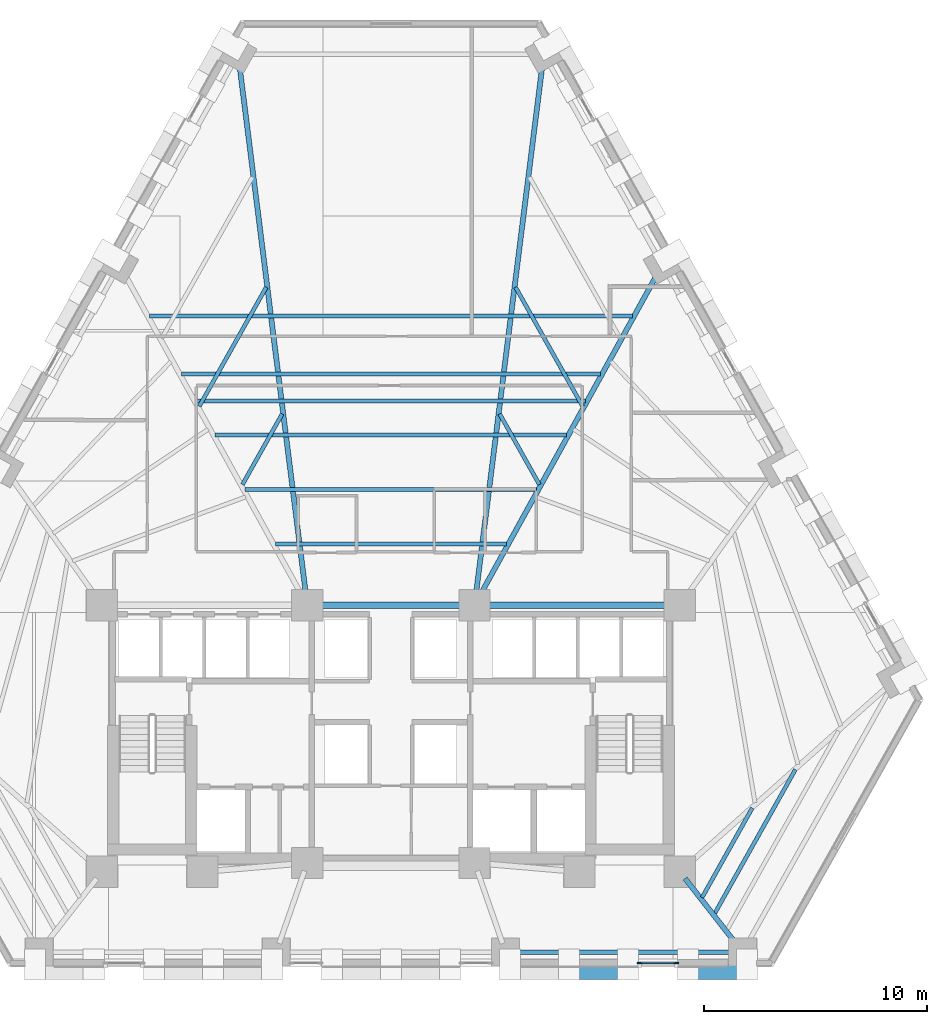
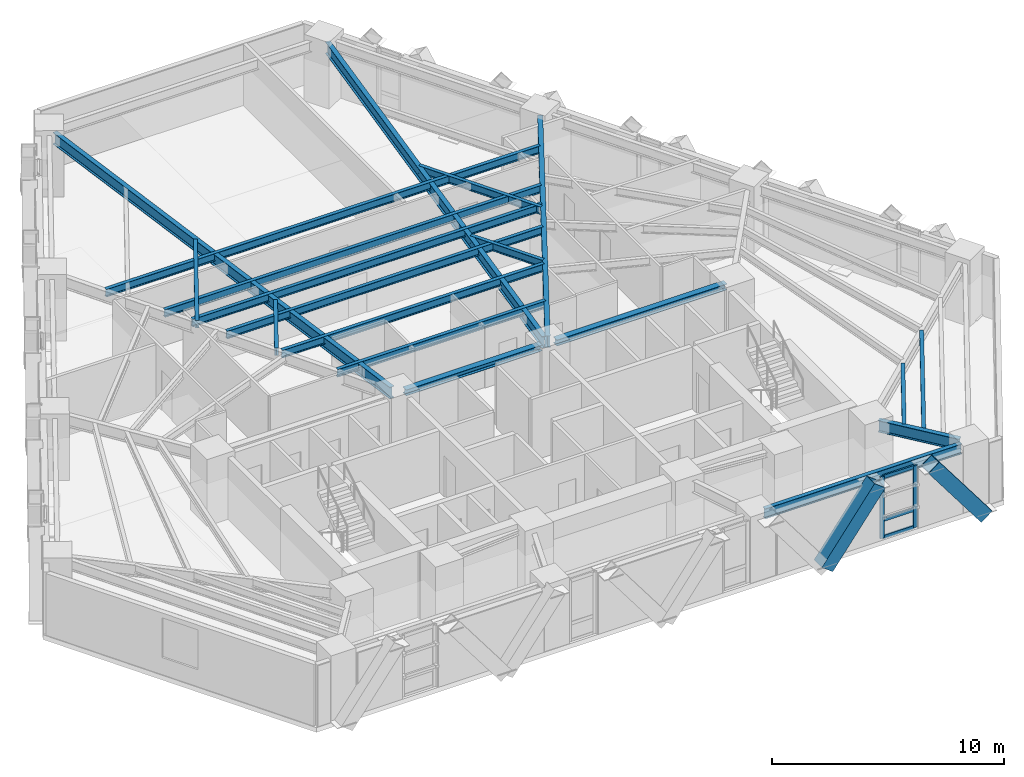
# One storey, part 3 of 13: 19 beams, 7 members, 1 element without a shape of its own.
"""IFC4 building model written with IfcOpenShell, lengths in metres."""

from ifc_helpers import new_model, si_unit, direction, frame, origin, origin_2d, place, context, subcontext, project, spatial, rectangle, hollow_rectangle, i_section, extrude, material, material_profile, profile_set, type_object, element, aggregate, save


model = new_model("IFC4")

# Units and contexts
model_context = context("Model", 3, precision=1e-05, world=origin(), true_north=direction((0.0, 1.0)))
body_context = subcontext(model_context, "Body", "Model", "MODEL_VIEW")
ifc_project = project(units=[si_unit("LENGTHUNIT", "METRE"), si_unit("AREAUNIT", "SQUARE_METRE"), si_unit("VOLUMEUNIT", "CUBIC_METRE"), si_unit("PLANEANGLEUNIT", "RADIAN"), si_unit("MASSUNIT", "GRAM", prefix="KILO")], contexts=[model_context])

# Site, building, storey
site_placement = place(None, origin())
site = spatial("IfcSite", under=ifc_project, at=site_placement, CompositionType="ELEMENT")
building_placement = place(site_placement, origin())
building = spatial("IfcBuilding", under=site, at=building_placement, Name="Quenlor Broadcast Tower", CompositionType="ELEMENT")
storey_placement = place(building_placement, frame((0.0, 0.0, 48.60009765625)))
storey = spatial("IfcBuildingStorey", under=building, at=storey_placement, Name="L12", CompositionType="ELEMENT", Elevation=48.60009765625)

# Curtain wall, members
ifc_material_1 = material(Name="Architectural Terracotta and Low-E Glazing", Category="masonry")
curtain_wall_type = type_object("IfcCurtainWallType", Name="Unitised Terracotta Curtain Wall System Z1", PredefinedType="NOTDEFINED", material=ifc_material_1)
curtain_wall_placement = place(storey_placement, origin())
curtain_wall = element("IfcCurtainWall", 1, at=curtain_wall_placement, inside=storey, type_object=curtain_wall_type, Name="L12 Curtain Wall CW1 (L12-SA-G1)", PredefinedType="NOTDEFINED")
ifc_material_2 = material(Name="Aluminium 6063-T6", Category="aluminium")
ifc_material_profile_1 = material_profile(ifc_material_2, rectangle(XDim=0.080078125, YDim=0.219970703125, at=origin_2d()))
ifc_profile_set_1 = profile_set([ifc_material_profile_1], Name="Aluminium 6063-T6 MULL80x220")
member_type_1 = type_object("IfcMemberType", Name="CW1 Aluminium Mullion MULL_CW1", PredefinedType="MULLION", material=ifc_profile_set_1)
member_1_placement = place(storey_placement, frame((12.794921875, -20.840087890625, 0.0), z_axis=(0.0, 0.0, 1.0), x_axis=(0.0, -1.0, 0.0)))
member_1 = element("IfcMember", 2, at=member_1_placement, type_object=member_type_1, Name="CW1 mullion 1", PredefinedType="MULLION", context=body_context, shape_type="SweptSolid", body=[
    extrude(rectangle(XDim=0.080078125, YDim=0.219970703125, at=origin_2d()), origin(), (0.0, 0.0, 1.0), 3.25),
])
member_2_placement = place(storey_placement, frame((11.146484375, -20.840087890625, 0.0), z_axis=(0.0, 0.0, 1.0), x_axis=(0.0, -1.0, 0.0)))
member_2 = element("IfcMember", 3, at=member_2_placement, type_object=member_type_1, Name="CW1 mullion 2", PredefinedType="MULLION", context=body_context, shape_type="SweptSolid", body=[
    extrude(rectangle(XDim=0.080078125, YDim=0.219970703125, at=origin_2d()), origin(), (0.0, 0.0, 1.0), 3.25),
])
ifc_material_3 = material(Name="Aluminium 6063-T6", Category="aluminium")
ifc_material_profile_2 = material_profile(ifc_material_3, rectangle(XDim=0.080078125, YDim=0.179931640625, at=origin_2d()))
ifc_profile_set_2 = profile_set([ifc_material_profile_2], Name="Aluminium 6063-T6 TRAN80x180")
member_type_2 = type_object("IfcMemberType", Name="CW1 Aluminium Transom TRAN_CW1", PredefinedType="USERDEFINED", material=ifc_profile_set_2)
member_3_placement = place(storey_placement, frame((12.7548828125, -20.840087890625, 0.039794921875), z_axis=(-1.0, 0.0, 0.0), x_axis=(0.0, -1.0, 0.0)))
member_3 = element("IfcMember", 4, at=member_3_placement, type_object=member_type_2, Name="CW1 transom 1.1", ObjectType="TRANSOM", PredefinedType="USERDEFINED", context=body_context, shape_type="SweptSolid", body=[
    extrude(rectangle(XDim=0.080078125, YDim=0.179931640625, at=origin_2d()), origin(), (0.0, 0.0, 1.0), 1.568359375),
])
member_4_placement = place(storey_placement, frame((12.7548828125, -20.840087890625, 0.949951171875), z_axis=(-1.0, 0.0, 0.0), x_axis=(0.0, -1.0, 0.0)))
member_4 = element("IfcMember", 5, at=member_4_placement, type_object=member_type_2, Name="CW1 transom 1.2", ObjectType="TRANSOM", PredefinedType="USERDEFINED", context=body_context, shape_type="SweptSolid", body=[
    extrude(rectangle(XDim=0.080078125, YDim=0.179931640625, at=origin_2d()), origin(), (0.0, 0.0, 1.0), 1.568359375),
])
member_5_placement = place(storey_placement, frame((12.7548828125, -20.840087890625, 3.2099609375), z_axis=(-1.0, 0.0, 0.0), x_axis=(0.0, -1.0, 0.0)))
member_5 = element("IfcMember", 6, at=member_5_placement, type_object=member_type_2, Name="CW1 transom 1.3", ObjectType="TRANSOM", PredefinedType="USERDEFINED", context=body_context, shape_type="SweptSolid", body=[
    extrude(rectangle(XDim=0.080078125, YDim=0.179931640625, at=origin_2d()), origin(), (0.0, 0.0, 1.0), 1.568359375),
])
aggregate(curtain_wall, [member_1, member_2, member_3, member_4, member_5])

# Beams
ifc_material_4 = material(Name="Steel S355", Category="steel")
ifc_material_profile_3 = material_profile(ifc_material_4, i_section(OverallWidth=0.304931640625, OverallDepth=0.30810546875, WebThickness=0.010009765625, FlangeThickness=0.015380859375, FilletRadius=0.0166015625, at=origin_2d()))
ifc_profile_set_3 = profile_set([ifc_material_profile_3], Name="Steel S355 310UC96.8")
beam_type_1 = type_object("IfcBeamType", Name="Core Header Beam Steel S355 310UC96.8", PredefinedType="BEAM", material=ifc_profile_set_3)
beam_1_placement = place(storey_placement, frame((-3.389892578125, -4.800048828125, 3.095947265625), z_axis=(1.0, 0.0, 0.0), x_axis=(0.0, 1.0, 0.0)))
element("IfcBeam", 7, at=beam_1_placement, inside=storey, type_object=beam_type_1, Name="L12 Core Header Beam 2", PredefinedType="BEAM", context=body_context, shape_type="SweptSolid", body=[
    extrude(i_section(OverallWidth=0.304931640625, OverallDepth=0.30810546875, WebThickness=0.010009765625, FlangeThickness=0.015380859375, FilletRadius=0.0166015625, at=origin_2d()), origin(), (0.0, 0.0, 1.0), 6.77978515625),
])
ifc_material_5 = material(Name="Steel S355", Category="steel")
ifc_material_profile_4 = material_profile(ifc_material_5, i_section(OverallWidth=0.306884765625, OverallDepth=0.314697265625, WebThickness=0.011962890625, FlangeThickness=0.018798828125, FilletRadius=0.0166015625, at=origin_2d()))
ifc_profile_set_4 = profile_set([ifc_material_profile_4], Name="Steel S355 310UC118")
beam_type_2 = type_object("IfcBeamType", Name="Core Tie Beam Steel S355 310UC118", PredefinedType="BEAM", material=ifc_profile_set_4)
beam_2_placement = place(storey_placement, frame((4.110107421875, -4.800048828125, 3.092529296875), z_axis=(1.0, 0.0, 0.0), x_axis=(0.0, 1.0, 0.0)))
element("IfcBeam", 8, at=beam_2_placement, inside=storey, type_object=beam_type_2, Name="L12 Core Tie Beam 3", PredefinedType="BEAM", context=body_context, shape_type="SweptSolid", body=[
    extrude(i_section(OverallWidth=0.306884765625, OverallDepth=0.314697265625, WebThickness=0.011962890625, FlangeThickness=0.018798828125, FilletRadius=0.0166015625, at=origin_2d()), origin(), (0.0, 0.0, 1.0), 8.47998046875),
])

# Members
ifc_material_6 = material(Name="Steel S355", Category="steel")
ifc_material_profile_5 = material_profile(ifc_material_6, hollow_rectangle(XDim=0.679931640625, YDim=0.679931640625, WallThickness=0.034912109375, at=origin_2d()))
ifc_profile_set_5 = profile_set([ifc_material_profile_5], Name="Steel S355 RHS680x680x35")
member_type_3 = type_object("IfcMemberType", Name="Perimeter Diagonal Lattice Brace Z1 Steel S355 RHS680x35", PredefinedType="BRACE", material=ifc_profile_set_5)
for number, where, z_axis, x_axis, name in (
    (9, (15.945068359375, -21.235107421875, -0.1201171875), (-0.600463982679, 0.0, 0.799651802665), (0.0, -1.0, 0.0), "L12 Perimeter Diamond Lattice S-C1S"),
    (10, (7.99658203125, -21.235107421875, -0.1201171875), (0.600463982679, 0.0, 0.799651802665), (0.0, 1.0, 0.0), "L12 Perimeter Diamond Lattice S-C1B"),
):
    element("IfcMember", number, at=place(storey_placement, frame(where, z_axis=z_axis, x_axis=x_axis)), inside=storey, type_object=member_type_3, Name=name, PredefinedType="BRACE", context=body_context, shape_type="SweptSolid", body=[
        extrude(hollow_rectangle(XDim=0.679931640625, YDim=0.679931640625, WallThickness=0.034912109375, at=origin_2d()), origin(), (0.0, 0.0, 1.0), 4.376953125),
    ])

# Beams
ifc_material_7 = material(Name="Steel S355", Category="steel")
ifc_material_profile_6 = material_profile(ifc_material_7, i_section(OverallWidth=0.208984375, OverallDepth=0.532958984375, WebThickness=0.01025390625, FlangeThickness=0.015625, FilletRadius=0.013916015625, at=origin_2d()))
ifc_profile_set_6 = profile_set([ifc_material_profile_6], Name="Steel S355 530UB92.4")
beam_type_3 = type_object("IfcBeamType", Name="Perimeter Spandrel Beam Z1 Steel S355 530UB92.4", PredefinedType="SPANDREL", material=ifc_profile_set_6)
beam_3_placement = place(storey_placement, frame((5.55078125, -20.35009765625, 2.9833984375), z_axis=(1.0, 0.0, 0.0), x_axis=(0.0, 1.0, 0.0)))
element("IfcBeam", 11, at=beam_3_placement, inside=storey, type_object=beam_type_3, Name="L12 Spandrel Beam S3-S4", PredefinedType="SPANDREL", context=body_context, shape_type="SweptSolid", body=[
    extrude(i_section(OverallWidth=0.208984375, OverallDepth=0.532958984375, WebThickness=0.01025390625, FlangeThickness=0.015625, FilletRadius=0.013916015625, at=origin_2d()), origin(), (0.0, 0.0, 1.0), 9.80419921875),
])
ifc_material_8 = material(Name="Steel S355", Category="steel")
ifc_material_profile_7 = material_profile(ifc_material_8, i_section(OverallWidth=0.177978515625, OverallDepth=0.406494140625, WebThickness=0.0078125, FlangeThickness=0.0126953125, FilletRadius=0.011474609375, at=origin_2d()))
ifc_profile_set_7 = profile_set([ifc_material_profile_7], Name="Steel S355 410UB59.7")
beam_type_4 = type_object("IfcBeamType", Name="Tower Composite Joist Z1 Steel S355 410UB59.7", PredefinedType="JOIST", material=ifc_profile_set_7)
beam_4_placement = place(storey_placement, frame((-5.184326171875, -2.0546875, 3.046630859375), z_axis=(1.0, 0.0, 0.0), x_axis=(0.0, 1.0, 0.0)))
element("IfcBeam", 12, at=beam_4_placement, inside=storey, type_object=beam_type_4, Name="L12 Secondary Composite Joist 1", PredefinedType="JOIST", context=body_context, shape_type="SweptSolid", body=[
    extrude(i_section(OverallWidth=0.177978515625, OverallDepth=0.406494140625, WebThickness=0.0078125, FlangeThickness=0.0126953125, FilletRadius=0.011474609375, at=origin_2d()), origin(), (0.0, 0.0, 1.0), 10.36865234375),
])
beam_5_placement = place(storey_placement, frame((-8.718017578125, 4.3505859375, 3.046630859375), z_axis=(1.0, 0.0, 0.0), x_axis=(0.0, 1.0, 0.0)))
element("IfcBeam", 13, at=beam_5_placement, inside=storey, type_object=beam_type_4, Name="L12 Secondary Composite Joist 2", PredefinedType="JOIST", context=body_context, shape_type="SweptSolid", body=[
    extrude(i_section(OverallWidth=0.177978515625, OverallDepth=0.406494140625, WebThickness=0.0078125, FlangeThickness=0.0126953125, FilletRadius=0.011474609375, at=origin_2d()), origin(), (0.0, 0.0, 1.0), 17.43603515625),
])
beam_6_placement = place(storey_placement, frame((-6.530517578125, 0.38525390625, 3.046630859375), z_axis=(1.0, 0.0, 0.0), x_axis=(0.0, 1.0, 0.0)))
element("IfcBeam", 14, at=beam_6_placement, inside=storey, type_object=beam_type_4, Name="L12 Secondary Composite Joist 3", PredefinedType="JOIST", context=body_context, shape_type="SweptSolid", body=[
    extrude(i_section(OverallWidth=0.177978515625, OverallDepth=0.406494140625, WebThickness=0.0078125, FlangeThickness=0.0126953125, FilletRadius=0.011474609375, at=origin_2d()), origin(), (0.0, 0.0, 1.0), 13.06103515625),
])
beam_7_placement = place(storey_placement, frame((-7.87646484375, 2.825439453125, 3.046630859375), z_axis=(1.0, 0.0, 0.0), x_axis=(0.0, 1.0, 0.0)))
element("IfcBeam", 15, at=beam_7_placement, inside=storey, type_object=beam_type_4, Name="L12 Secondary Composite Joist 4", PredefinedType="JOIST", context=body_context, shape_type="SweptSolid", body=[
    extrude(i_section(OverallWidth=0.177978515625, OverallDepth=0.406494140625, WebThickness=0.0078125, FlangeThickness=0.0126953125, FilletRadius=0.011474609375, at=origin_2d()), origin(), (0.0, 0.0, 1.0), 15.7529296875),
])
beam_8_placement = place(storey_placement, frame((-9.390869140625, 5.570556640625, 3.046630859375), z_axis=(1.0, 0.0, 0.0), x_axis=(0.0, 1.0, 0.0)))
element("IfcBeam", 16, at=beam_8_placement, inside=storey, type_object=beam_type_4, Name="L12 Secondary Composite Joist 5", PredefinedType="JOIST", context=body_context, shape_type="SweptSolid", body=[
    extrude(i_section(OverallWidth=0.177978515625, OverallDepth=0.406494140625, WebThickness=0.0078125, FlangeThickness=0.0126953125, FilletRadius=0.011474609375, at=origin_2d()), origin(), (0.0, 0.0, 1.0), 18.78173828125),
])
beam_9_placement = place(storey_placement, frame((-10.821044921875, 8.163330078125, 3.046630859375), z_axis=(1.0, 0.0, 0.0), x_axis=(0.0, 1.0, 0.0)))
element("IfcBeam", 17, at=beam_9_placement, inside=storey, type_object=beam_type_4, Name="L12 Secondary Composite Joist 6", PredefinedType="JOIST", context=body_context, shape_type="SweptSolid", body=[
    extrude(i_section(OverallWidth=0.177978515625, OverallDepth=0.406494140625, WebThickness=0.0078125, FlangeThickness=0.0126953125, FilletRadius=0.011474609375, at=origin_2d()), origin(), (0.0, 0.0, 1.0), 21.64208984375),
])
beam_10_placement = place(storey_placement, frame((13.9462890625, -17.904296875, 3.046630859375), z_axis=(0.489062021968, 0.872249011848, 0.0), x_axis=(-0.872249011848, 0.489062021968, 0.0)))
element("IfcBeam", 18, at=beam_10_placement, inside=storey, type_object=beam_type_4, Name="L12 Secondary Composite Joist 22", PredefinedType="JOIST", context=body_context, shape_type="SweptSolid", body=[
    extrude(i_section(OverallWidth=0.177978515625, OverallDepth=0.406494140625, WebThickness=0.0078125, FlangeThickness=0.0126953125, FilletRadius=0.011474609375, at=origin_2d()), origin(), (0.0, 0.0, 1.0), 4.6025390625),
])
beam_11_placement = place(storey_placement, frame((14.50927734375, -18.624267578125, 3.046630859375), z_axis=(0.489088249322, 0.872234305892, 0.0), x_axis=(-0.872234305892, 0.489088249322, 0.0)))
element("IfcBeam", 19, at=beam_11_placement, inside=storey, type_object=beam_type_4, Name="L12 Secondary Composite Joist 23", PredefinedType="JOIST", context=body_context, shape_type="SweptSolid", body=[
    extrude(i_section(OverallWidth=0.177978515625, OverallDepth=0.406494140625, WebThickness=0.0078125, FlangeThickness=0.0126953125, FilletRadius=0.011474609375, at=origin_2d()), origin(), (0.0, 0.0, 1.0), 7.404296875),
])
beam_12_placement = place(storey_placement, frame((-4.87451171875, 3.7734375, 3.046630859375), z_axis=(-0.490286766726, -0.871561177642, 0.0), x_axis=(0.871561177642, -0.490286766726, 0.0)))
element("IfcBeam", 20, at=beam_12_placement, inside=storey, type_object=beam_type_4, Name="L12 Secondary Composite Joist 25", PredefinedType="JOIST", context=body_context, shape_type="SweptSolid", body=[
    extrude(i_section(OverallWidth=0.177978515625, OverallDepth=0.406494140625, WebThickness=0.0078125, FlangeThickness=0.0126953125, FilletRadius=0.011474609375, at=origin_2d()), origin(), (0.0, 0.0, 1.0), 3.632568359375),
])
beam_13_placement = place(storey_placement, frame((-5.587646484375, 9.453125, 3.046630859375), z_axis=(-0.490276380443, -0.871567020246, 0.0), x_axis=(0.871567020246, -0.490276380443, 0.0)))
element("IfcBeam", 21, at=beam_13_placement, inside=storey, type_object=beam_type_4, Name="L12 Secondary Composite Joist 26", PredefinedType="JOIST", context=body_context, shape_type="SweptSolid", body=[
    extrude(i_section(OverallWidth=0.177978515625, OverallDepth=0.406494140625, WebThickness=0.0078125, FlangeThickness=0.0126953125, FilletRadius=0.011474609375, at=origin_2d()), origin(), (0.0, 0.0, 1.0), 6.12451171875),
])
beam_14_placement = place(storey_placement, frame((4.87451171875, 3.7734375, 3.046630859375), z_axis=(0.490286766726, -0.871561177642, 0.0), x_axis=(0.871561177642, 0.490286766726, 0.0)))
element("IfcBeam", 22, at=beam_14_placement, inside=storey, type_object=beam_type_4, Name="L12 Secondary Composite Joist 28", PredefinedType="JOIST", context=body_context, shape_type="SweptSolid", body=[
    extrude(i_section(OverallWidth=0.177978515625, OverallDepth=0.406494140625, WebThickness=0.0078125, FlangeThickness=0.0126953125, FilletRadius=0.011474609375, at=origin_2d()), origin(), (0.0, 0.0, 1.0), 3.632568359375),
])
beam_15_placement = place(storey_placement, frame((5.587646484375, 9.453125, 3.046630859375), z_axis=(0.490276380443, -0.871567020246, 0.0), x_axis=(0.871567020246, 0.490276380443, 0.0)))
element("IfcBeam", 23, at=beam_15_placement, inside=storey, type_object=beam_type_4, Name="L12 Secondary Composite Joist 29", PredefinedType="JOIST", context=body_context, shape_type="SweptSolid", body=[
    extrude(i_section(OverallWidth=0.177978515625, OverallDepth=0.406494140625, WebThickness=0.0078125, FlangeThickness=0.0126953125, FilletRadius=0.011474609375, at=origin_2d()), origin(), (0.0, 0.0, 1.0), 6.12451171875),
])
ifc_material_9 = material(Name="Steel S355", Category="steel")
ifc_material_profile_8 = material_profile(ifc_material_9, i_section(OverallWidth=0.22900390625, OverallDepth=0.611572265625, WebThickness=0.011962890625, FlangeThickness=0.01953125, FilletRadius=0.013916015625, at=origin_2d()))
ifc_profile_set_8 = profile_set([ifc_material_profile_8], Name="Steel S355 610UB125")
beam_type_5 = type_object("IfcBeamType", Name="Tower Primary Floor Beam Z1 Steel S355 610UB125", PredefinedType="BEAM", material=ifc_profile_set_8)
beam_16_placement = place(storey_placement, frame((15.512451171875, -20.027099609375, 2.944091796875), z_axis=(-0.615968610193, 0.78777069713, 0.0), x_axis=(-0.78777069713, -0.615968610193, 0.0)))
element("IfcBeam", 24, at=beam_16_placement, inside=storey, type_object=beam_type_5, Name="L12 Primary Radial Beam S4", PredefinedType="BEAM", context=body_context, shape_type="SweptSolid", body=[
    extrude(i_section(OverallWidth=0.22900390625, OverallDepth=0.611572265625, WebThickness=0.011962890625, FlangeThickness=0.01953125, FilletRadius=0.013916015625, at=origin_2d()), origin(), (0.0, 0.0, 1.0), 3.780029296875),
])
beam_17_placement = place(storey_placement, frame((11.965087890625, 10.091796875, 2.944091796875), z_axis=(-0.483026493693, -0.875605736842, 0.0), x_axis=(0.875605736842, -0.483026493693, 0.0)))
element("IfcBeam", 25, at=beam_17_placement, inside=storey, type_object=beam_type_5, Name="L12 Primary Radial Beam NE3", PredefinedType="BEAM", context=body_context, shape_type="SweptSolid", body=[
    extrude(i_section(OverallWidth=0.22900390625, OverallDepth=0.611572265625, WebThickness=0.011962890625, FlangeThickness=0.01953125, FilletRadius=0.013916015625, at=origin_2d()), origin(), (0.0, 0.0, 1.0), 16.62744140625),
])
for number, where, z_axis, x_axis, name in (
    (26, (6.7998046875, 19.48779296875, 2.944091796875), (-0.124589575762, -0.99220836401, 0.0), (0.99220836401, -0.124589575762, 0.0), "L12 Primary Radial Beam NE4"),
    (27, (-6.7998046875, 19.48779296875, 2.944091796875), (0.124589575762, -0.99220836401, 0.0), (0.99220836401, 0.124589575762, 0.0), "L12 Primary Radial Beam NW1"),
):
    element("IfcBeam", number, at=place(storey_placement, frame(where, z_axis=z_axis, x_axis=x_axis)), inside=storey, type_object=beam_type_5, Name=name, PredefinedType="BEAM", context=body_context, shape_type="SweptSolid", body=[
        extrude(i_section(OverallWidth=0.22900390625, OverallDepth=0.611572265625, WebThickness=0.011962890625, FlangeThickness=0.01953125, FilletRadius=0.013916015625, at=origin_2d()), origin(), (0.0, 0.0, 1.0), 24.0986328125),
    ])

save(model, "model.ifc")
